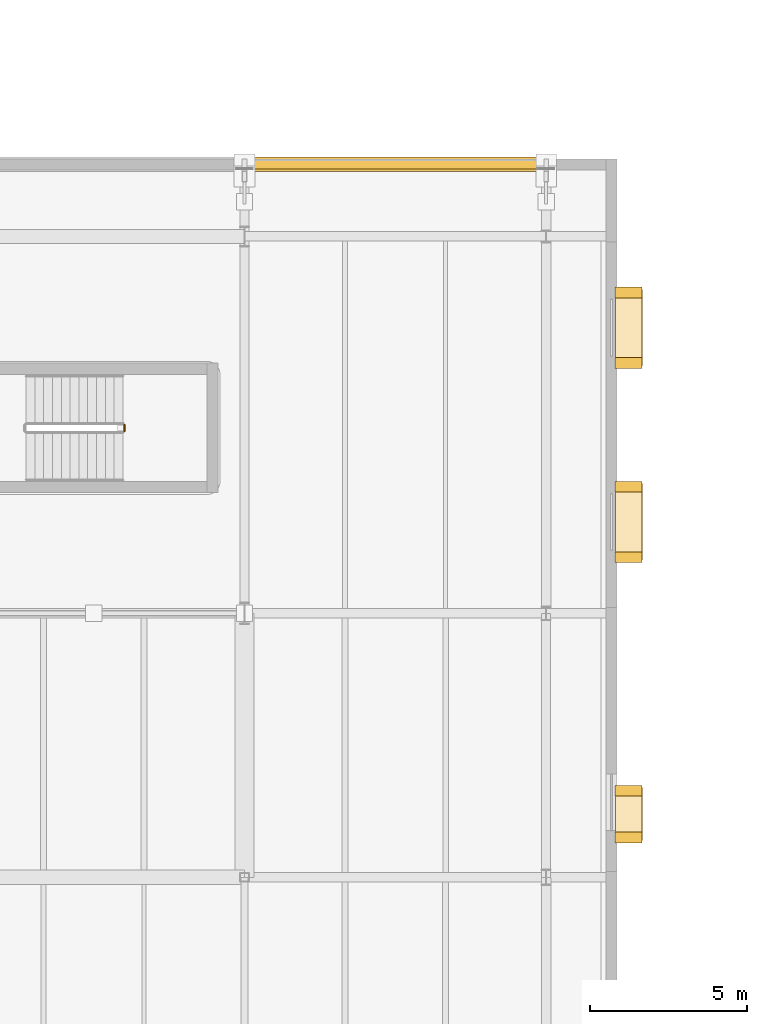
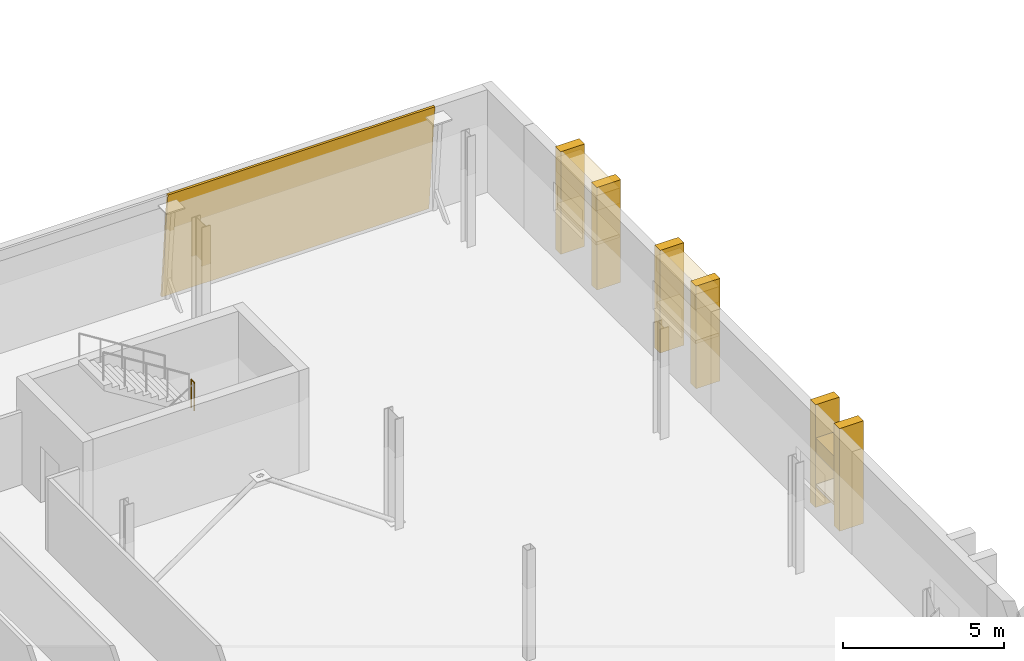
# One storey, part 84 of 90: 13 coverings, 1 railing.
"""IFC4 building model written with IfcOpenShell, lengths in metres."""

from ifc_helpers import new_model, si_unit, direction, frame, origin, origin_2d, place, context, subcontext, project, spatial, polyline, rectangle, circle, outline, extrude, material, layer, layer_set, type_object, element, save


model = new_model("IFC4")

# Units and contexts
model_context = context("Model", 3, precision=1e-05, world=origin(), true_north=direction((0.0, 1.0)))
body_context = subcontext(model_context, "Body", "Model", "MODEL_VIEW")
ifc_project = project(units=[si_unit("LENGTHUNIT", "METRE"), si_unit("AREAUNIT", "SQUARE_METRE"), si_unit("VOLUMEUNIT", "CUBIC_METRE"), si_unit("PLANEANGLEUNIT", "RADIAN"), si_unit("MASSUNIT", "GRAM", prefix="KILO")], contexts=[model_context])

# Site, building, storey
site_placement = place(None, origin())
site = spatial("IfcSite", under=ifc_project, at=site_placement, CompositionType="ELEMENT")
building_placement = place(site_placement, origin())
building = spatial("IfcBuilding", under=site, at=building_placement, Name="Zereglee Splitstone Museum", CompositionType="ELEMENT")
storey_placement = place(building_placement, frame((0.0, 0.0, 4.800048828125)))
storey = spatial("IfcBuildingStorey", under=building, at=storey_placement, Name="L01", CompositionType="ELEMENT", Elevation=4.800048828125)

# Coverings
ifc_material_1 = material(Name="Honed Gobi pale limestone stringcourse and soffit cladding", Category="masonry")
ifc_layer_1 = layer(ifc_material_1, 0.070068359375)
ifc_layer_set_1 = layer_set([ifc_layer_1], Name="Honed Gobi pale limestone stringcourse and soffit cladding")
covering_type_1 = type_object("IfcCoveringType", Name="CL-02", PredefinedType="CLADDING", material=ifc_layer_set_1)
for number, where, z_axis, x_axis, name in (
    (1, (147.824951171875, 31.264892578125, 0.0), (0.0, 0.0, 1.0), (0.0, 1.0, 0.0), "Mughal Window Reveal Stone Pilaster L01-0039L"),
    (2, (147.824951171875, 32.7548828125, 0.0), (0.0, 0.0, 1.0), (0.0, 1.0, 0.0), "Mughal Window Reveal Stone Pilaster L01-0039R"),
):
    element("IfcCovering", number, at=place(storey_placement, frame(where, z_axis=z_axis, x_axis=x_axis)), inside=storey, type_object=covering_type_1, Name=name, PredefinedType="CLADDING", context=body_context, shape_type="SweptSolid", body=[
        extrude(rectangle(XDim=0.340087890625, YDim=0.860107421875, at=origin_2d()), origin(), (0.0, 0.0, 1.0), 3.89990234375),
    ])
covering_1_placement = place(storey_placement, frame((147.8349609375, 32.010009765625, 0.760009765625), z_axis=(0.0, 0.0, 1.0), x_axis=(0.0, 1.0, 0.0)))
element("IfcCovering", 3, at=covering_1_placement, inside=storey, type_object=covering_type_1, Name="Carved Limestone Window Sill L01-0039", PredefinedType="CLADDING", context=body_context, shape_type="SweptSolid", body=[
    extrude(rectangle(XDim=1.68994140625, YDim=0.840087890625, at=origin_2d()), origin(), (0.0, 0.0, 1.0), 0.1201171875),
])
for number, where, z_axis, x_axis, name in (
    (4, (147.824951171875, 40.18994140625, 0.0), (0.0, 0.0, 1.0), (0.0, 1.0, 0.0), "Mughal Window Reveal Stone Pilaster L01-0040L"),
    (5, (147.824951171875, 42.429931640625, 0.0), (0.0, 0.0, 1.0), (0.0, 1.0, 0.0), "Mughal Window Reveal Stone Pilaster L01-0040R"),
):
    element("IfcCovering", number, at=place(storey_placement, frame(where, z_axis=z_axis, x_axis=x_axis)), inside=storey, type_object=covering_type_1, Name=name, PredefinedType="CLADDING", context=body_context, shape_type="SweptSolid", body=[
        extrude(rectangle(XDim=0.340087890625, YDim=0.860107421875, at=origin_2d()), origin(), (0.0, 0.0, 1.0), 3.89990234375),
    ])
covering_2_placement = place(storey_placement, frame((147.8349609375, 41.31005859375, 1.659912109375), z_axis=(0.0, 0.0, 1.0), x_axis=(0.0, 1.0, 0.0)))
element("IfcCovering", 6, at=covering_2_placement, inside=storey, type_object=covering_type_1, Name="Carved Limestone Window Sill L01-0040", PredefinedType="CLADDING", context=body_context, shape_type="SweptSolid", body=[
    extrude(rectangle(XDim=2.43994140625, YDim=0.840087890625, at=origin_2d()), origin(), (0.0, 0.0, 1.0), 0.1201171875),
])
for number, where, z_axis, x_axis, name in (
    (7, (147.824951171875, 46.3701171875, 0.0), (0.0, 0.0, 1.0), (0.0, 1.0, 0.0), "Mughal Window Reveal Stone Pilaster L01-0041L"),
    (8, (147.824951171875, 48.610107421875, 0.0), (0.0, 0.0, 1.0), (0.0, 1.0, 0.0), "Mughal Window Reveal Stone Pilaster L01-0041R"),
):
    element("IfcCovering", number, at=place(storey_placement, frame(where, z_axis=z_axis, x_axis=x_axis)), inside=storey, type_object=covering_type_1, Name=name, PredefinedType="CLADDING", context=body_context, shape_type="SweptSolid", body=[
        extrude(rectangle(XDim=0.340087890625, YDim=0.860107421875, at=origin_2d()), origin(), (0.0, 0.0, 1.0), 3.89990234375),
    ])
covering_3_placement = place(storey_placement, frame((147.8349609375, 47.489990234375, 1.659912109375), z_axis=(0.0, 0.0, 1.0), x_axis=(0.0, 1.0, 0.0)))
element("IfcCovering", 9, at=covering_3_placement, inside=storey, type_object=covering_type_1, Name="Carved Limestone Window Sill L01-0041", PredefinedType="CLADDING", context=body_context, shape_type="SweptSolid", body=[
    extrude(rectangle(XDim=2.43994140625, YDim=0.840087890625, at=origin_2d()), origin(), (0.0, 0.0, 1.0), 0.1201171875),
])
ifc_material_2 = material(Name="Honed Khoroo red sandstone ventilated rainscreen", Category="masonry")
ifc_layer_2 = layer(ifc_material_2, 0.080078125)
ifc_layer_set_2 = layer_set([ifc_layer_2], Name="Honed Khoroo red sandstone ventilated rainscreen")
covering_type_2 = type_object("IfcCoveringType", Name="CL-01", PredefinedType="CLADDING", material=ifc_layer_set_2)
covering_4_placement = place(storey_placement, frame((147.8349609375, 32.010009765625, 2.059814453125), z_axis=(0.0, 0.0, 1.0), x_axis=(0.0, 1.0, 0.0)))
element("IfcCovering", 10, at=covering_4_placement, inside=storey, type_object=covering_type_2, Name="Pointed-Arch Mughal Window Hood L01-0039", PredefinedType="CLADDING", context=body_context, shape_type="SweptSolid", body=[
    extrude(rectangle(XDim=1.68994140625, YDim=0.860107421875, at=origin_2d()), origin(), (0.0, 0.0, 1.0), 0.580078125),
])
for number, where, z_axis, x_axis, name in (
    (11, (147.8349609375, 41.31005859375, 2.9599609375), (0.0, 0.0, 1.0), (0.0, 1.0, 0.0), "Pointed-Arch Mughal Window Hood L01-0040"),
    (12, (147.8349609375, 47.489990234375, 2.9599609375), (0.0, 0.0, 1.0), (0.0, 1.0, 0.0), "Pointed-Arch Mughal Window Hood L01-0041"),
):
    element("IfcCovering", number, at=place(storey_placement, frame(where, z_axis=z_axis, x_axis=x_axis)), inside=storey, type_object=covering_type_2, Name=name, PredefinedType="CLADDING", context=body_context, shape_type="SweptSolid", body=[
        extrude(rectangle(XDim=2.43994140625, YDim=0.860107421875, at=origin_2d()), origin(), (0.0, 0.0, 1.0), 0.580078125),
    ])
covering_5_placement = place(storey_placement, frame((135.60009765625, 52.545654296875, 3.949951171875), z_axis=(0.0, 0.995859600442, 0.090904654488), x_axis=(1.0, 0.0, 0.0)))
element("IfcCovering", 13, at=covering_5_placement, inside=storey, type_object=covering_type_2, Name="Split-Rock Continuous Inclined Facet FH-V2NE L01.2", PredefinedType="CLADDING", context=body_context, shape_type="SweptSolid", body=[
    extrude(outline(polyline([(0.0, 0.0), (9.599853515625, 0.0), (9.599853515625, 4.117144278601649), (0.0, 4.117144278601649), (0.0, 0.0)])), origin(), (0.0, 0.0, -1.0), 0.080078125),
])

# Railing
ifc_material_3 = material(Name="Painted steel S355J2 post-and-baluster guard", Category="steel")
railing_type = type_object("IfcRailingType", Name="GR-03", PredefinedType="BALUSTRADE", material=ifc_material_3)
railing_placement = place(storey_placement, frame((131.780029296875, 44.199951171875, 2.099853515625)))
element("IfcRailing", 14, at=railing_placement, inside=storey, type_object=railing_type, Name="L01 ST-03 stair guard 2", PredefinedType="BALUSTRADE", context=body_context, shape_type="SweptSolid", body=[
    extrude(circle(Radius=0.02392578125, at=origin_2d()), frame((0.0, 0.0, 1.076416015625), z_axis=(0.0, 1.0, 0.0), x_axis=(-1.0, 0.0, 0.0)), (0.0, 0.0, 1.0), 0.199951171875),
    extrude(circle(Radius=0.02099609375, at=origin_2d()), origin(), (0.0, 0.0, 1.0), 1.052001953125),
    extrude(circle(Radius=0.02099609375, at=origin_2d()), frame((0.0, 0.199951171875, 0.0)), (0.0, 0.0, 1.0), 1.052001953125),
])

save(model, "model.ifc")
